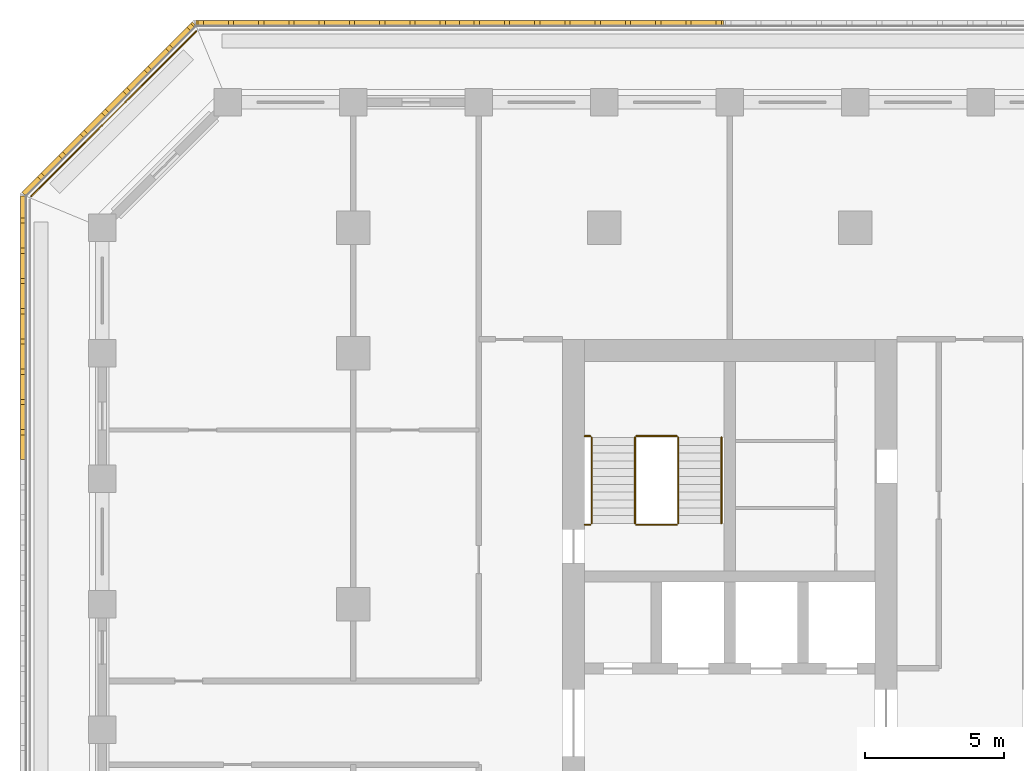
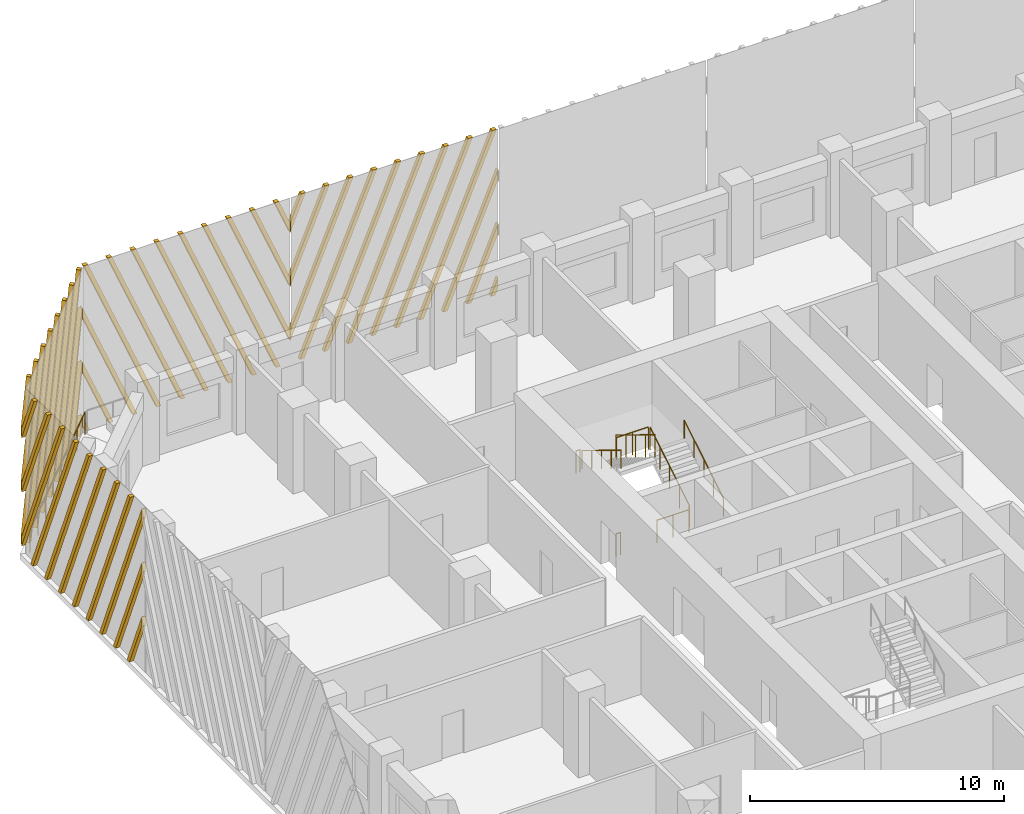
# One storey, part 13 of 16: 9 railings, 4 shading devices.
"""IFC4 building model written with IfcOpenShell, lengths in metres."""

from ifc_helpers import new_model, si_unit, direction, frame, origin, origin_2d, place, context, subcontext, project, spatial, polyline, circle, outline, extrude, source, transform, mapped, material, type_object, element, save


model = new_model("IFC4")

# Units and contexts
model_context = context("Model", 3, precision=1e-05, world=origin(), true_north=direction((0.0, 1.0)))
body_context = subcontext(model_context, "Body", "Model", "MODEL_VIEW")
ifc_project = project(units=[si_unit("LENGTHUNIT", "METRE"), si_unit("AREAUNIT", "SQUARE_METRE"), si_unit("VOLUMEUNIT", "CUBIC_METRE"), si_unit("PLANEANGLEUNIT", "RADIAN"), si_unit("MASSUNIT", "GRAM", prefix="KILO")], contexts=[model_context])

# Site, building, storey
site_placement = place(None, origin())
site = spatial("IfcSite", under=ifc_project, at=site_placement, CompositionType="ELEMENT")
building_placement = place(site_placement, origin())
building = spatial("IfcBuilding", under=site, at=building_placement, Name="Corbel Stack Research Tower", CompositionType="ELEMENT")
storey_placement = place(building_placement, frame((0.0, 0.0, 165.0)))
storey = spatial("IfcBuildingStorey", under=building, at=storey_placement, Name="L37", CompositionType="ELEMENT", Elevation=165.0)

# Railings
ifc_material_1 = material(Name="Steel S355", Category="steel")
railing_type_1 = type_object("IfcRailingType", Name="Stair guard 1100", PredefinedType="GUARDRAIL", material=ifc_material_1)
railing_1_placement = place(storey_placement, frame((-6.35009765625, 11.89990234375, 0.1708984375)))
element("IfcRailing", 1, at=railing_1_placement, inside=storey, type_object=railing_type_1, Name="L37 ST-W2 stair guard 1", PredefinedType="GUARDRAIL", context=body_context, shape_type="SweptSolid", body=[
    extrude(circle(Radius=0.02392578125, at=origin_2d()), frame((0.0, 0.0, 1.076171875), z_axis=(0.0, 0.853666305674, 0.52082035152), x_axis=(-1.0, 0.0, 0.0)), (0.0, 0.0, 1.0), 3.608154296875),
    extrude(circle(Radius=0.02099609375, at=origin_2d()), origin(), (0.0, 0.0, 1.0), 1.052001953125),
    extrude(circle(Radius=0.02099609375, at=origin_2d()), frame((0.0, 0.77001953125, 0.4697265625)), (0.0, 0.0, 1.0), 1.052001953125),
    extrude(circle(Radius=0.02099609375, at=origin_2d()), frame((0.0, 1.5400390625, 0.939453125)), (0.0, 0.0, 1.0), 1.052001953125),
    extrude(circle(Radius=0.02099609375, at=origin_2d()), frame((0.0, 2.31005859375, 1.409423828125)), (0.0, 0.0, 1.0), 1.052001953125),
    extrude(circle(Radius=0.02099609375, at=origin_2d()), frame((0.0, 3.080078125, 1.879150390625)), (0.0, 0.0, 1.0), 1.052001953125),
])
railing_2_placement = place(storey_placement, frame((-6.39990234375, 15.030029296875, 2.050048828125)))
element("IfcRailing", 2, at=railing_2_placement, inside=storey, type_object=railing_type_1, Name="L37 ST-W2 stair guard 2", PredefinedType="GUARDRAIL", context=body_context, shape_type="SweptSolid", body=[
    extrude(circle(Radius=0.02392578125, at=origin_2d()), frame((0.0, 0.0, 1.076171875), z_axis=(-1.0, 0.0, 0.0), x_axis=(0.0, -1.0, 0.0)), (0.0, 0.0, 1.0), 1.4501953125),
    extrude(circle(Radius=0.02099609375, at=origin_2d()), origin(), (0.0, 0.0, 1.0), 1.052001953125),
    extrude(circle(Radius=0.02099609375, at=origin_2d()), frame((-0.72509765625, 0.0, 0.0)), (0.0, 0.0, 1.0), 1.052001953125),
    extrude(circle(Radius=0.02099609375, at=origin_2d()), frame((-1.4501953125, 0.0, 0.0)), (0.0, 0.0, 1.0), 1.052001953125),
])
railing_3_placement = place(storey_placement, frame((-9.5, 15.030029296875, 2.050048828125)))
element("IfcRailing", 3, at=railing_3_placement, inside=storey, type_object=railing_type_1, Name="L37 ST-W2 stair guard 3", PredefinedType="GUARDRAIL", context=body_context, shape_type="SweptSolid", body=[
    extrude(circle(Radius=0.02392578125, at=origin_2d()), frame((0.0, 0.0, 1.076171875), z_axis=(-1.0, 0.0, 0.0), x_axis=(0.0, -1.0, 0.0)), (0.0, 0.0, 1.0), 0.199951171875),
    extrude(circle(Radius=0.02099609375, at=origin_2d()), origin(), (0.0, 0.0, 1.0), 1.052001953125),
    extrude(circle(Radius=0.02099609375, at=origin_2d()), frame((-0.199951171875, 0.0, 0.0)), (0.0, 0.0, 1.0), 1.052001953125),
])
railing_4_placement = place(storey_placement, frame((-7.89990234375, 14.97998046875, 2.220947265625)))
element("IfcRailing", 4, at=railing_4_placement, inside=storey, type_object=railing_type_1, Name="L37 ST-W2 stair guard 4", PredefinedType="GUARDRAIL", context=body_context, shape_type="SweptSolid", body=[
    extrude(circle(Radius=0.02392578125, at=origin_2d()), frame((0.0, 0.0, 1.076171875), z_axis=(0.0, -0.853666305674, 0.52082035152), x_axis=(1.0, 0.0, 0.0)), (0.0, 0.0, 1.0), 3.608154296875),
    extrude(circle(Radius=0.02099609375, at=origin_2d()), origin(), (0.0, 0.0, 1.0), 1.052001953125),
    extrude(circle(Radius=0.02099609375, at=origin_2d()), frame((0.0, -0.77001953125, 0.4697265625)), (0.0, 0.0, 1.0), 1.052001953125),
    extrude(circle(Radius=0.02099609375, at=origin_2d()), frame((0.0, -1.5400390625, 0.939453125)), (0.0, 0.0, 1.0), 1.052001953125),
    extrude(circle(Radius=0.02099609375, at=origin_2d()), frame((0.0, -2.31005859375, 1.409423828125)), (0.0, 0.0, 1.0), 1.052001953125),
    extrude(circle(Radius=0.02099609375, at=origin_2d()), frame((0.0, -3.080078125, 1.879150390625)), (0.0, 0.0, 1.0), 1.052001953125),
])
railing_5_placement = place(storey_placement, frame((-6.39990234375, 11.85009765625, 0.0)))
element("IfcRailing", 5, at=railing_5_placement, inside=storey, type_object=railing_type_1, Name="L37 ST-W2 stair guard 5", PredefinedType="GUARDRAIL", context=body_context, shape_type="SweptSolid", body=[
    extrude(circle(Radius=0.02392578125, at=origin_2d()), frame((0.0, 0.0, 1.076171875), z_axis=(-1.0, 0.0, 0.0), x_axis=(0.0, -1.0, 0.0)), (0.0, 0.0, 1.0), 1.4501953125),
    extrude(circle(Radius=0.02099609375, at=origin_2d()), origin(), (0.0, 0.0, 1.0), 1.052001953125),
    extrude(circle(Radius=0.02099609375, at=origin_2d()), frame((-0.72509765625, 0.0, 0.0)), (0.0, 0.0, 1.0), 1.052001953125),
    extrude(circle(Radius=0.02099609375, at=origin_2d()), frame((-1.4501953125, 0.0, 0.0)), (0.0, 0.0, 1.0), 1.052001953125),
])
railing_6_placement = place(storey_placement, frame((-9.5, 11.85009765625, 0.0)))
element("IfcRailing", 6, at=railing_6_placement, inside=storey, type_object=railing_type_1, Name="L37 ST-W2 stair guard 6", PredefinedType="GUARDRAIL", context=body_context, shape_type="SweptSolid", body=[
    extrude(circle(Radius=0.02392578125, at=origin_2d()), frame((0.0, 0.0, 1.076171875), z_axis=(-1.0, 0.0, 0.0), x_axis=(0.0, -1.0, 0.0)), (0.0, 0.0, 1.0), 0.199951171875),
    extrude(circle(Radius=0.02099609375, at=origin_2d()), origin(), (0.0, 0.0, 1.0), 1.052001953125),
    extrude(circle(Radius=0.02099609375, at=origin_2d()), frame((-0.199951171875, 0.0, 0.0)), (0.0, 0.0, 1.0), 1.052001953125),
])
ifc_material_2 = material(Name="Steel S355", Category="steel")
railing_type_2 = type_object("IfcRailingType", Name="Stair handrail 900", PredefinedType="HANDRAIL", material=ifc_material_2)
railing_7_placement = place(storey_placement, frame((-4.800048828125, 11.89990234375, 0.1708984375)))
element("IfcRailing", 7, at=railing_7_placement, inside=storey, type_object=railing_type_2, Name="L37 ST-W2 stair handrail 1", PredefinedType="HANDRAIL", context=body_context, shape_type="SweptSolid", body=[
    extrude(circle(Radius=0.02392578125, at=origin_2d()), frame((0.0, 0.0, 0.8759765625), z_axis=(0.0, 0.853666305674, 0.52082035152), x_axis=(-1.0, 0.0, 0.0)), (0.0, 0.0, 1.0), 3.608154296875),
    extrude(circle(Radius=0.02099609375, at=origin_2d()), origin(), (0.0, 0.0, 1.0), 0.851806640625),
    extrude(circle(Radius=0.02099609375, at=origin_2d()), frame((0.0, 0.77001953125, 0.4697265625)), (0.0, 0.0, 1.0), 0.851806640625),
    extrude(circle(Radius=0.02099609375, at=origin_2d()), frame((0.0, 1.5400390625, 0.939453125)), (0.0, 0.0, 1.0), 0.851806640625),
    extrude(circle(Radius=0.02099609375, at=origin_2d()), frame((0.0, 2.31005859375, 1.409423828125)), (0.0, 0.0, 1.0), 0.851806640625),
    extrude(circle(Radius=0.02099609375, at=origin_2d()), frame((0.0, 3.080078125, 1.879150390625)), (0.0, 0.0, 1.0), 0.851806640625),
])
railing_8_placement = place(storey_placement, frame((-9.449951171875, 14.97998046875, 2.220947265625)))
element("IfcRailing", 8, at=railing_8_placement, inside=storey, type_object=railing_type_2, Name="L37 ST-W2 stair handrail 2", PredefinedType="HANDRAIL", context=body_context, shape_type="SweptSolid", body=[
    extrude(circle(Radius=0.02392578125, at=origin_2d()), frame((0.0, 0.0, 0.8759765625), z_axis=(0.0, -0.853666305674, 0.52082035152), x_axis=(1.0, 0.0, 0.0)), (0.0, 0.0, 1.0), 3.608154296875),
    extrude(circle(Radius=0.02099609375, at=origin_2d()), origin(), (0.0, 0.0, 1.0), 0.851806640625),
    extrude(circle(Radius=0.02099609375, at=origin_2d()), frame((0.0, -0.77001953125, 0.4697265625)), (0.0, 0.0, 1.0), 0.851806640625),
    extrude(circle(Radius=0.02099609375, at=origin_2d()), frame((0.0, -1.5400390625, 0.939453125)), (0.0, 0.0, 1.0), 0.851806640625),
    extrude(circle(Radius=0.02099609375, at=origin_2d()), frame((0.0, -2.31005859375, 1.409423828125)), (0.0, 0.0, 1.0), 0.851806640625),
    extrude(circle(Radius=0.02099609375, at=origin_2d()), frame((0.0, -3.080078125, 1.879150390625)), (0.0, 0.0, 1.0), 0.851806640625),
])
ifc_material_3 = material(Name="Powder-coated steel guard", Category="steel")
railing_type_3 = type_object("IfcRailingType", Name="Steel and glass guard 1100", PredefinedType="GUARDRAIL", material=ifc_material_3)
railing_9_placement = place(storey_placement, frame((-23.627685546875, 29.54931640625, 0.0)))
element("IfcRailing", 9, at=railing_9_placement, inside=storey, type_object=railing_type_3, Name="Loggia guard L37 NW", PredefinedType="GUARDRAIL", context=body_context, shape_type="SweptSolid", body=[
    extrude(circle(Radius=0.02392578125, at=origin_2d()), frame((0.0, 0.0, 1.076171875), z_axis=(-0.707106781187, -0.707106781187, 0.0), x_axis=(0.707106781187, -0.707106781187, 0.0)), (0.0, 0.0, 1.0), 8.37451171875),
    extrude(circle(Radius=0.02099609375, at=origin_2d()), origin(), (0.0, 0.0, 1.0), 1.052001953125),
    extrude(circle(Radius=0.02099609375, at=origin_2d()), frame((-0.845947265625, -0.845947265625, 0.0)), (0.0, 0.0, 1.0), 1.052001953125),
    extrude(circle(Radius=0.02099609375, at=origin_2d()), frame((-1.69189453125, -1.69189453125, 0.0)), (0.0, 0.0, 1.0), 1.052001953125),
    extrude(circle(Radius=0.02099609375, at=origin_2d()), frame((-2.537841796875, -2.537841796875, 0.0)), (0.0, 0.0, 1.0), 1.052001953125),
    extrude(circle(Radius=0.02099609375, at=origin_2d()), frame((-3.3837890625, -3.3837890625, 0.0)), (0.0, 0.0, 1.0), 1.052001953125),
    extrude(circle(Radius=0.02099609375, at=origin_2d()), frame((-4.229736328125, -4.229736328125, 0.0)), (0.0, 0.0, 1.0), 1.052001953125),
    extrude(circle(Radius=0.02099609375, at=origin_2d()), frame((-5.07568359375, -5.07568359375, 0.0)), (0.0, 0.0, 1.0), 1.052001953125),
    extrude(circle(Radius=0.02099609375, at=origin_2d()), frame((-5.921630859375, -5.921630859375, 0.0)), (0.0, 0.0, 1.0), 1.052001953125),
])

# Shading devices
ifc_material_4 = material(Name="Precast terracotta", Category="masonry")
shading_device_type = type_object("IfcShadingDeviceType", Name="Terracotta screen panel", PredefinedType="USERDEFINED", material=ifc_material_4)
shared_shape_1 = source(origin(), body_context, "Body", "SweptSolid", [
    extrude(outline(polyline([(0.70361328125, 7.949951171875), (0.513427734375, 7.949951171875), (0.0, 6.720458984375), (0.0, 6.265380859375), (0.70361328125, 7.949951171875)])), frame((0.0, 0.0, 0.0), z_axis=(0.0, -1.0, 0.0), x_axis=(1.0, 0.0, 0.0)), (0.0, 0.0, 1.0), 0.179931640625),
    extrude(outline(polyline([(1.7880859375, 7.949951171875), (1.59814453125, 7.949951171875), (0.0, 4.123291015625), (0.0, 3.668212890625), (1.7880859375, 7.949951171875)])), frame((0.0, 0.0, 0.0), z_axis=(0.0, -1.0, 0.0), x_axis=(1.0, 0.0, 0.0)), (0.0, 0.0, 1.0), 0.179931640625),
    extrude(outline(polyline([(2.872802734375, 7.949951171875), (2.682861328125, 7.949951171875), (0.0, 1.526123046875), (0.0, 1.071044921875), (2.872802734375, 7.949951171875)])), frame((0.0, 0.0, 0.0), z_axis=(0.0, -1.0, 0.0), x_axis=(1.0, 0.0, 0.0)), (0.0, 0.0, 1.0), 0.179931640625),
    extrude(outline(polyline([(0.63720703125, 0.0), (3.95751953125, 7.949951171875), (3.767578125, 7.949951171875), (0.447265625, 0.0), (0.63720703125, 0.0)])), frame((0.0, 0.0, 0.0), z_axis=(0.0, -1.0, 0.0), x_axis=(1.0, 0.0, 0.0)), (0.0, 0.0, 1.0), 0.179931640625),
    extrude(outline(polyline([(1.721923828125, 0.0), (5.042236328125, 7.949951171875), (4.852294921875, 7.949951171875), (1.531982421875, 0.0), (1.721923828125, 0.0)])), frame((0.0, 0.0, 0.0), z_axis=(0.0, -1.0, 0.0), x_axis=(1.0, 0.0, 0.0)), (0.0, 0.0, 1.0), 0.179931640625),
    extrude(outline(polyline([(2.806640625, 0.0), (6.126708984375, 7.949951171875), (5.936767578125, 7.949951171875), (2.61669921875, 0.0), (2.806640625, 0.0)])), frame((0.0, 0.0, 0.0), z_axis=(0.0, -1.0, 0.0), x_axis=(1.0, 0.0, 0.0)), (0.0, 0.0, 1.0), 0.179931640625),
    extrude(outline(polyline([(3.891357421875, 0.0), (7.21142578125, 7.949951171875), (7.021484375, 7.949951171875), (3.701416015625, 0.0), (3.891357421875, 0.0)])), frame((0.0, 0.0, 0.0), z_axis=(0.0, -1.0, 0.0), x_axis=(1.0, 0.0, 0.0)), (0.0, 0.0, 1.0), 0.179931640625),
    extrude(outline(polyline([(4.97607421875, 0.0), (8.296142578125, 7.949951171875), (8.106201171875, 7.949951171875), (4.785888671875, 0.0), (4.97607421875, 0.0)])), frame((0.0, 0.0, 0.0), z_axis=(0.0, -1.0, 0.0), x_axis=(1.0, 0.0, 0.0)), (0.0, 0.0, 1.0), 0.179931640625),
    extrude(outline(polyline([(6.060791015625, 0.0), (9.380859375, 7.949951171875), (9.19091796875, 7.949951171875), (5.87060546875, 0.0), (6.060791015625, 0.0)])), frame((0.0, 0.0, 0.0), z_axis=(0.0, -1.0, 0.0), x_axis=(1.0, 0.0, 0.0)), (0.0, 0.0, 1.0), 0.179931640625),
    extrude(outline(polyline([(7.145263671875, 0.0), (9.45556640625, 5.531982421875), (9.45556640625, 5.98681640625), (6.955322265625, 0.0), (7.145263671875, 0.0)])), frame((0.0, 0.0, 0.0), z_axis=(0.0, -1.0, 0.0), x_axis=(1.0, 0.0, 0.0)), (0.0, 0.0, 1.0), 0.179931640625),
    extrude(outline(polyline([(8.22998046875, 0.0), (9.45556640625, 2.934814453125), (9.45556640625, 3.3896484375), (8.0400390625, 0.0), (8.22998046875, 0.0)])), frame((0.0, 0.0, 0.0), z_axis=(0.0, -1.0, 0.0), x_axis=(1.0, 0.0, 0.0)), (0.0, 0.0, 1.0), 0.179931640625),
    extrude(outline(polyline([(9.314697265625, 0.0), (9.45556640625, 0.337646484375), (9.45556640625, 0.79248046875), (9.124755859375, 0.0), (9.314697265625, 0.0)])), frame((0.0, 0.0, 0.0), z_axis=(0.0, -1.0, 0.0), x_axis=(1.0, 0.0, 0.0)), (0.0, 0.0, 1.0), 0.179931640625),
])
shading_device_1_placement = place(storey_placement, frame((-14.18359375, 29.75, 0.0), z_axis=(0.0, 0.0, 1.0), x_axis=(-1.0, 0.0, 0.0)))
element("IfcShadingDevice", 10, at=shading_device_1_placement, inside=storey, type_object=shading_device_type, Name="Terracotta screen L37 N5", ObjectType="SCREEN", PredefinedType="USERDEFINED", context=body_context, shape_type="MappedRepresentation", body=[
    mapped(shared_shape_1, transform((0.0, 0.0, 0.0))),
])
shared_shape_2 = source(origin(), body_context, "Body", "SweptSolid", [
    extrude(outline(polyline([(0.3310546875, 0.0), (0.0, 0.79248046875), (0.0, 0.337646484375), (0.14111328125, 0.0), (0.3310546875, 0.0)])), frame((0.0, 0.0, 0.0), z_axis=(0.0, -1.0, 0.0), x_axis=(1.0, 0.0, 0.0)), (0.0, 0.0, 1.0), 0.179931640625),
    extrude(outline(polyline([(1.41552734375, 0.0), (0.0, 3.3896484375), (0.0, 2.934814453125), (1.2255859375, 0.0), (1.41552734375, 0.0)])), frame((0.0, 0.0, 0.0), z_axis=(0.0, -1.0, 0.0), x_axis=(1.0, 0.0, 0.0)), (0.0, 0.0, 1.0), 0.179931640625),
    extrude(outline(polyline([(2.500244140625, 0.0), (0.0, 5.98681640625), (0.0, 5.531982421875), (2.310302734375, 0.0), (2.500244140625, 0.0)])), frame((0.0, 0.0, 0.0), z_axis=(0.0, -1.0, 0.0), x_axis=(1.0, 0.0, 0.0)), (0.0, 0.0, 1.0), 0.179931640625),
    extrude(outline(polyline([(3.5849609375, 0.0), (0.264892578125, 7.949951171875), (0.07470703125, 7.949951171875), (3.39501953125, 0.0), (3.5849609375, 0.0)])), frame((0.0, 0.0, 0.0), z_axis=(0.0, -1.0, 0.0), x_axis=(1.0, 0.0, 0.0)), (0.0, 0.0, 1.0), 0.179931640625),
    extrude(outline(polyline([(4.669677734375, 0.0), (1.349609375, 7.949951171875), (1.159423828125, 7.949951171875), (4.4794921875, 0.0), (4.669677734375, 0.0)])), frame((0.0, 0.0, 0.0), z_axis=(0.0, -1.0, 0.0), x_axis=(1.0, 0.0, 0.0)), (0.0, 0.0, 1.0), 0.179931640625),
    extrude(outline(polyline([(5.75439453125, 0.0), (2.43408203125, 7.949951171875), (2.244140625, 7.949951171875), (5.564208984375, 0.0), (5.75439453125, 0.0)])), frame((0.0, 0.0, 0.0), z_axis=(0.0, -1.0, 0.0), x_axis=(1.0, 0.0, 0.0)), (0.0, 0.0, 1.0), 0.179931640625),
    extrude(outline(polyline([(6.839111328125, 0.0), (3.518798828125, 7.949951171875), (3.328857421875, 7.949951171875), (6.64892578125, 0.0), (6.839111328125, 0.0)])), frame((0.0, 0.0, 0.0), z_axis=(0.0, -1.0, 0.0), x_axis=(1.0, 0.0, 0.0)), (0.0, 0.0, 1.0), 0.179931640625),
    extrude(outline(polyline([(7.923583984375, 0.0), (4.603515625, 7.949951171875), (4.41357421875, 7.949951171875), (7.733642578125, 0.0), (7.923583984375, 0.0)])), frame((0.0, 0.0, 0.0), z_axis=(0.0, -1.0, 0.0), x_axis=(1.0, 0.0, 0.0)), (0.0, 0.0, 1.0), 0.179931640625),
    extrude(outline(polyline([(9.00830078125, 0.0), (5.68798828125, 7.949951171875), (5.498046875, 7.949951171875), (8.818359375, 0.0), (9.00830078125, 0.0)])), frame((0.0, 0.0, 0.0), z_axis=(0.0, -1.0, 0.0), x_axis=(1.0, 0.0, 0.0)), (0.0, 0.0, 1.0), 0.179931640625),
    extrude(outline(polyline([(6.772705078125, 7.949951171875), (6.582763671875, 7.949951171875), (9.45556640625, 1.071044921875), (9.45556640625, 1.526123046875), (6.772705078125, 7.949951171875)])), frame((0.0, 0.0, 0.0), z_axis=(0.0, -1.0, 0.0), x_axis=(1.0, 0.0, 0.0)), (0.0, 0.0, 1.0), 0.179931640625),
    extrude(outline(polyline([(7.857421875, 7.949951171875), (7.66748046875, 7.949951171875), (9.45556640625, 3.668212890625), (9.45556640625, 4.123291015625), (7.857421875, 7.949951171875)])), frame((0.0, 0.0, 0.0), z_axis=(0.0, -1.0, 0.0), x_axis=(1.0, 0.0, 0.0)), (0.0, 0.0, 1.0), 0.179931640625),
    extrude(outline(polyline([(8.942138671875, 7.949951171875), (8.752197265625, 7.949951171875), (9.45556640625, 6.265380859375), (9.45556640625, 6.720458984375), (8.942138671875, 7.949951171875)])), frame((0.0, 0.0, 0.0), z_axis=(0.0, -1.0, 0.0), x_axis=(1.0, 0.0, 0.0)), (0.0, 0.0, 1.0), 0.179931640625),
])
shading_device_2_placement = place(storey_placement, frame((-4.727783203125, 29.75, 0.0), z_axis=(0.0, 0.0, 1.0), x_axis=(-1.0, 0.0, 0.0)))
element("IfcShadingDevice", 11, at=shading_device_2_placement, inside=storey, type_object=shading_device_type, Name="Terracotta screen L37 N4", ObjectType="SCREEN", PredefinedType="USERDEFINED", context=body_context, shape_type="MappedRepresentation", body=[
    mapped(shared_shape_2, transform((0.0, 0.0, 0.0))),
])
shared_shape_3 = source(origin(), body_context, "Body", "SweptSolid", [
    extrude(outline(polyline([(0.3310546875, 0.0), (0.0, 0.79248046875), (0.0, 0.337646484375), (0.14111328125, 0.0), (0.3310546875, 0.0)])), frame((0.0, 0.0, 0.0), z_axis=(0.0, -1.0, 0.0), x_axis=(1.0, 0.0, 0.0)), (0.0, 0.0, 1.0), 0.179931640625),
    extrude(outline(polyline([(1.41552734375, 0.0), (0.0, 3.3896484375), (0.0, 2.934814453125), (1.2255859375, 0.0), (1.41552734375, 0.0)])), frame((0.0, 0.0, 0.0), z_axis=(0.0, -1.0, 0.0), x_axis=(1.0, 0.0, 0.0)), (0.0, 0.0, 1.0), 0.179931640625),
    extrude(outline(polyline([(2.500244140625, 0.0), (0.0, 5.98681640625), (0.0, 5.531982421875), (2.310302734375, 0.0), (2.500244140625, 0.0)])), frame((0.0, 0.0, 0.0), z_axis=(0.0, -1.0, 0.0), x_axis=(1.0, 0.0, 0.0)), (0.0, 0.0, 1.0), 0.179931640625),
    extrude(outline(polyline([(3.5849609375, 0.0), (0.264892578125, 7.949951171875), (0.07470703125, 7.949951171875), (3.39501953125, 0.0), (3.5849609375, 0.0)])), frame((0.0, 0.0, 0.0), z_axis=(0.0, -1.0, 0.0), x_axis=(1.0, 0.0, 0.0)), (0.0, 0.0, 1.0), 0.179931640625),
    extrude(outline(polyline([(4.669677734375, 0.0), (1.349609375, 7.949951171875), (1.159423828125, 7.949951171875), (4.4794921875, 0.0), (4.669677734375, 0.0)])), frame((0.0, 0.0, 0.0), z_axis=(0.0, -1.0, 0.0), x_axis=(1.0, 0.0, 0.0)), (0.0, 0.0, 1.0), 0.179931640625),
    extrude(outline(polyline([(5.75439453125, 0.0), (2.43408203125, 7.949951171875), (2.244140625, 7.949951171875), (5.564208984375, 0.0), (5.75439453125, 0.0)])), frame((0.0, 0.0, 0.0), z_axis=(0.0, -1.0, 0.0), x_axis=(1.0, 0.0, 0.0)), (0.0, 0.0, 1.0), 0.179931640625),
    extrude(outline(polyline([(6.839111328125, 0.0), (3.518798828125, 7.949951171875), (3.328857421875, 7.949951171875), (6.64892578125, 0.0), (6.839111328125, 0.0)])), frame((0.0, 0.0, 0.0), z_axis=(0.0, -1.0, 0.0), x_axis=(1.0, 0.0, 0.0)), (0.0, 0.0, 1.0), 0.179931640625),
    extrude(outline(polyline([(7.923583984375, 0.0), (4.603515625, 7.949951171875), (4.41357421875, 7.949951171875), (7.733642578125, 0.0), (7.923583984375, 0.0)])), frame((0.0, 0.0, 0.0), z_axis=(0.0, -1.0, 0.0), x_axis=(1.0, 0.0, 0.0)), (0.0, 0.0, 1.0), 0.179931640625),
    extrude(outline(polyline([(5.68798828125, 7.949951171875), (5.498046875, 7.949951171875), (8.64208984375, 0.421875), (8.64208984375, 0.876708984375), (5.68798828125, 7.949951171875)])), frame((0.0, 0.0, 0.0), z_axis=(0.0, -1.0, 0.0), x_axis=(1.0, 0.0, 0.0)), (0.0, 0.0, 1.0), 0.179931640625),
    extrude(outline(polyline([(6.772705078125, 7.949951171875), (6.582763671875, 7.949951171875), (8.64208984375, 3.01904296875), (8.64208984375, 3.473876953125), (6.772705078125, 7.949951171875)])), frame((0.0, 0.0, 0.0), z_axis=(0.0, -1.0, 0.0), x_axis=(1.0, 0.0, 0.0)), (0.0, 0.0, 1.0), 0.179931640625),
    extrude(outline(polyline([(7.857421875, 7.949951171875), (7.66748046875, 7.949951171875), (8.64208984375, 5.6162109375), (8.64208984375, 6.071044921875), (7.857421875, 7.949951171875)])), frame((0.0, 0.0, 0.0), z_axis=(0.0, -1.0, 0.0), x_axis=(1.0, 0.0, 0.0)), (0.0, 0.0, 1.0), 0.179931640625),
])
shading_device_3_placement = place(storey_placement, frame((-23.63916015625, 29.75, 0.0), z_axis=(0.0, 0.0, 1.0), x_axis=(-0.707106781187, -0.707106781187, 0.0)))
element("IfcShadingDevice", 12, at=shading_device_3_placement, inside=storey, type_object=shading_device_type, Name="Terracotta screen L37 NW1", ObjectType="SCREEN", PredefinedType="USERDEFINED", context=body_context, shape_type="MappedRepresentation", body=[
    mapped(shared_shape_3, transform((0.0, 0.0, 0.0))),
])
shared_shape_4 = source(origin(), body_context, "Body", "SweptSolid", [
    extrude(outline(polyline([(0.974609375, 7.949951171875), (0.78466796875, 7.949951171875), (0.0, 6.071044921875), (0.0, 5.6162109375), (0.974609375, 7.949951171875)])), frame((0.0, 0.0, 0.0), z_axis=(0.0, -1.0, 0.0), x_axis=(1.0, 0.0, 0.0)), (0.0, 0.0, 1.0), 0.179931640625),
    extrude(outline(polyline([(2.059326171875, 7.949951171875), (1.869384765625, 7.949951171875), (0.0, 3.473876953125), (0.0, 3.01904296875), (2.059326171875, 7.949951171875)])), frame((0.0, 0.0, 0.0), z_axis=(0.0, -1.0, 0.0), x_axis=(1.0, 0.0, 0.0)), (0.0, 0.0, 1.0), 0.179931640625),
    extrude(outline(polyline([(3.14404296875, 7.949951171875), (2.9541015625, 7.949951171875), (0.0, 0.876708984375), (0.0, 0.421875), (3.14404296875, 7.949951171875)])), frame((0.0, 0.0, 0.0), z_axis=(0.0, -1.0, 0.0), x_axis=(1.0, 0.0, 0.0)), (0.0, 0.0, 1.0), 0.179931640625),
    extrude(outline(polyline([(0.908447265625, 0.0), (4.228759765625, 7.949951171875), (4.038818359375, 7.949951171875), (0.718505859375, 0.0), (0.908447265625, 0.0)])), frame((0.0, 0.0, 0.0), z_axis=(0.0, -1.0, 0.0), x_axis=(1.0, 0.0, 0.0)), (0.0, 0.0, 1.0), 0.179931640625),
    extrude(outline(polyline([(1.9931640625, 0.0), (5.313232421875, 7.949951171875), (5.123291015625, 7.949951171875), (1.80322265625, 0.0), (1.9931640625, 0.0)])), frame((0.0, 0.0, 0.0), z_axis=(0.0, -1.0, 0.0), x_axis=(1.0, 0.0, 0.0)), (0.0, 0.0, 1.0), 0.179931640625),
    extrude(outline(polyline([(3.077880859375, 0.0), (6.39794921875, 7.949951171875), (6.2080078125, 7.949951171875), (2.8876953125, 0.0), (3.077880859375, 0.0)])), frame((0.0, 0.0, 0.0), z_axis=(0.0, -1.0, 0.0), x_axis=(1.0, 0.0, 0.0)), (0.0, 0.0, 1.0), 0.179931640625),
    extrude(outline(polyline([(4.16259765625, 0.0), (7.482666015625, 7.949951171875), (7.292724609375, 7.949951171875), (3.972412109375, 0.0), (4.16259765625, 0.0)])), frame((0.0, 0.0, 0.0), z_axis=(0.0, -1.0, 0.0), x_axis=(1.0, 0.0, 0.0)), (0.0, 0.0, 1.0), 0.179931640625),
    extrude(outline(polyline([(5.247314453125, 0.0), (8.5673828125, 7.949951171875), (8.377197265625, 7.949951171875), (5.05712890625, 0.0), (5.247314453125, 0.0)])), frame((0.0, 0.0, 0.0), z_axis=(0.0, -1.0, 0.0), x_axis=(1.0, 0.0, 0.0)), (0.0, 0.0, 1.0), 0.179931640625),
    extrude(outline(polyline([(6.331787109375, 0.0), (9.45556640625, 7.479736328125), (9.45556640625, 7.934814453125), (6.141845703125, 0.0), (6.331787109375, 0.0)])), frame((0.0, 0.0, 0.0), z_axis=(0.0, -1.0, 0.0), x_axis=(1.0, 0.0, 0.0)), (0.0, 0.0, 1.0), 0.179931640625),
    extrude(outline(polyline([(7.41650390625, 0.0), (9.45556640625, 4.882568359375), (9.45556640625, 5.337646484375), (7.2265625, 0.0), (7.41650390625, 0.0)])), frame((0.0, 0.0, 0.0), z_axis=(0.0, -1.0, 0.0), x_axis=(1.0, 0.0, 0.0)), (0.0, 0.0, 1.0), 0.179931640625),
    extrude(outline(polyline([(8.501220703125, 0.0), (9.45556640625, 2.285400390625), (9.45556640625, 2.740478515625), (8.311279296875, 0.0), (8.501220703125, 0.0)])), frame((0.0, 0.0, 0.0), z_axis=(0.0, -1.0, 0.0), x_axis=(1.0, 0.0, 0.0)), (0.0, 0.0, 1.0), 0.179931640625),
])
shading_device_4_placement = place(storey_placement, frame((-29.75, 23.63916015625, 0.0), z_axis=(0.0, 0.0, 1.0), x_axis=(0.0, -1.0, 0.0)))
element("IfcShadingDevice", 13, at=shading_device_4_placement, inside=storey, type_object=shading_device_type, Name="Terracotta screen L37 W1", ObjectType="SCREEN", PredefinedType="USERDEFINED", context=body_context, shape_type="MappedRepresentation", body=[
    mapped(shared_shape_4, transform((0.0, 0.0, 0.0))),
])

save(model, "model.ifc")
